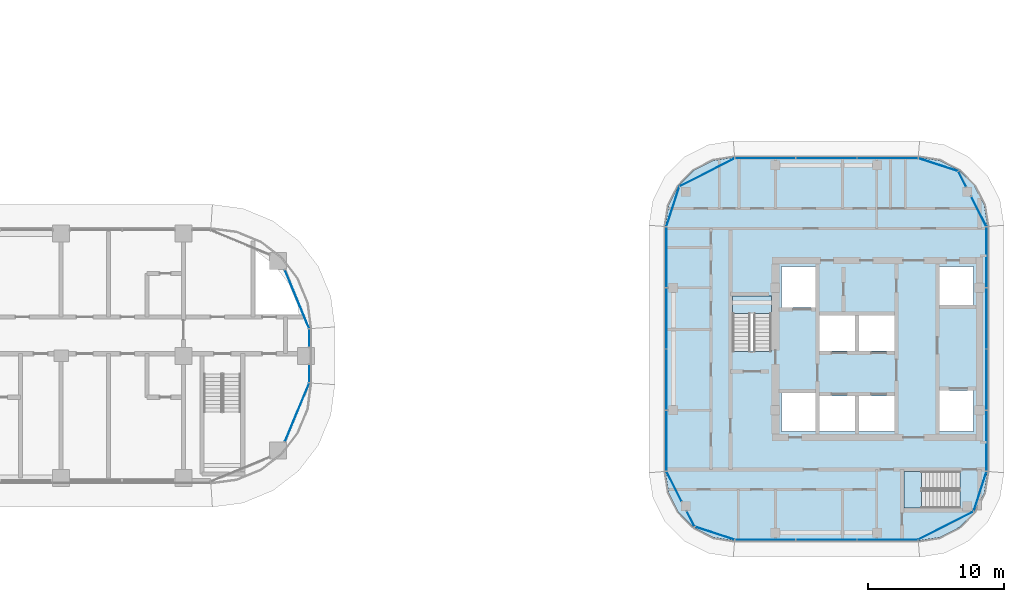
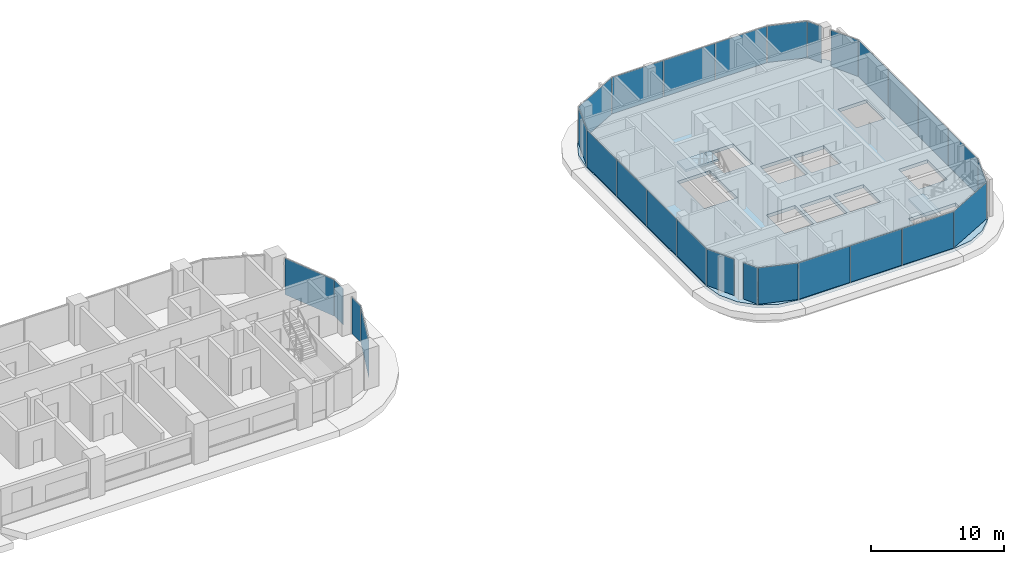
# One storey, part 14 of 33: 28 plates, 3 slabs, 16 elements without a shape of their own.
"""IFC4 building model written with IfcOpenShell, lengths in metres."""

from ifc_helpers import new_model, si_unit, direction, frame, origin, origin_2d, place, context, subcontext, project, spatial, polyline, rectangle, outline, extrude, material, layer, layer_set, type_object, element, aggregate, save


model = new_model("IFC4")

# Units and contexts
model_context = context("Model", 3, precision=1e-05, world=origin(), true_north=direction((0.0, 1.0)))
body_context = subcontext(model_context, "Body", "Model", "MODEL_VIEW")
ifc_project = project(units=[si_unit("LENGTHUNIT", "METRE"), si_unit("AREAUNIT", "SQUARE_METRE"), si_unit("VOLUMEUNIT", "CUBIC_METRE"), si_unit("PLANEANGLEUNIT", "RADIAN"), si_unit("MASSUNIT", "GRAM", prefix="KILO")], contexts=[model_context])

# Site, building, storey
site_placement = place(None, origin())
site = spatial("IfcSite", under=ifc_project, at=site_placement, CompositionType="ELEMENT")
building_placement = place(site_placement, origin())
building = spatial("IfcBuilding", under=site, at=building_placement, Name="Ogive Portal Towers", CompositionType="ELEMENT")
storey_placement = place(building_placement, frame((0.0, 0.0, 98.199951171875)))
storey = spatial("IfcBuildingStorey", under=building, at=storey_placement, Name="L23", CompositionType="ELEMENT", Elevation=98.199951171875)

# Curtain wall, plate
ifc_material_1 = material(Name="Glass, clear low-iron insulated glazing", Category="glass")
curtain_wall_type_1 = type_object("IfcCurtainWallType", Name="CW FRONT RIBBON 4500", PredefinedType="NOTDEFINED", material=ifc_material_1)
curtain_wall_1_placement = place(storey_placement, origin())
curtain_wall_1 = element("IfcCurtainWall", 1, at=curtain_wall_1_placement, inside=storey, type_object=curtain_wall_type_1, Name="A:L23:f23:cw0~0", PredefinedType="NOTDEFINED")
ifc_layer_1 = layer(ifc_material_1, 0.028076171875)
ifc_layer_set_1 = layer_set([ifc_layer_1], Name="CW PANEL IGU 28")
plate_type = type_object("IfcPlateType", Name="CW PANEL IGU 28", PredefinedType="CURTAIN_PANEL", material=ifc_layer_set_1)
plate_1_placement = place(storey_placement, frame((94.739990234375, 29.195556640625, 0.0), z_axis=(0.0, 0.0, 1.0), x_axis=(0.0, 1.0, 0.0)))
plate_1 = element("IfcPlate", 2, at=plate_1_placement, type_object=plate_type, Name="panel", PredefinedType="CURTAIN_PANEL", context=body_context, shape_type="SweptSolid", body=[
    extrude(rectangle(XDim=1.299072265625, YDim=0.028076171875, at=origin_2d()), origin(), (0.0, 0.0, 1.0), 3.340087890625),
])
aggregate(curtain_wall_1, [plate_1])

curtain_wall_2_placement = place(storey_placement, origin())
curtain_wall_2 = element("IfcCurtainWall", 3, at=curtain_wall_2_placement, inside=storey, type_object=curtain_wall_type_1, Name="A:L23:f23:cw0~1", PredefinedType="NOTDEFINED")
plate_2_placement = place(storey_placement, frame((94.739990234375, 31.804443359375, 0.0), z_axis=(0.0, 0.0, 1.0), x_axis=(0.0, 1.0, 0.0)))
plate_2 = element("IfcPlate", 4, at=plate_2_placement, type_object=plate_type, Name="panel", PredefinedType="CURTAIN_PANEL", context=body_context, shape_type="SweptSolid", body=[
    extrude(rectangle(XDim=1.299072265625, YDim=0.028076171875, at=origin_2d()), origin(), (0.0, 0.0, 1.0), 3.340087890625),
])
aggregate(curtain_wall_2, [plate_2])

curtain_wall_3_placement = place(storey_placement, origin())
curtain_wall_3 = element("IfcCurtainWall", 5, at=curtain_wall_3_placement, inside=storey, type_object=curtain_wall_type_1, Name="A:L23:f21:cwa~1", PredefinedType="NOTDEFINED")
plate_3_placement = place(storey_placement, frame((93.841064453125, 26.345458984375, 0.0), z_axis=(0.0, 0.0, 1.0), x_axis=(0.382683432365, 0.923879532511, 0.0)))
plate_3 = element("IfcPlate", 6, at=plate_3_placement, type_object=plate_type, Name="panel", PredefinedType="CURTAIN_PANEL", context=body_context, shape_type="SweptSolid", body=[
    extrude(rectangle(XDim=4.638671875, YDim=0.028076171875, at=origin_2d()), origin(), (0.0, 0.0, 1.0), 3.340087890625),
])
aggregate(curtain_wall_3, [plate_3])

curtain_wall_4_placement = place(storey_placement, origin())
curtain_wall_4 = element("IfcCurtainWall", 7, at=curtain_wall_4_placement, inside=storey, type_object=curtain_wall_type_1, Name="A:L23:f24:cwa~0", PredefinedType="NOTDEFINED")
plate_4_placement = place(storey_placement, frame((93.841064453125, 34.654541015625, 0.0), z_axis=(0.0, 0.0, 1.0), x_axis=(-0.382683432365, 0.923879532511, 0.0)))
plate_4 = element("IfcPlate", 8, at=plate_4_placement, type_object=plate_type, Name="panel", PredefinedType="CURTAIN_PANEL", context=body_context, shape_type="SweptSolid", body=[
    extrude(rectangle(XDim=4.638671875, YDim=0.028076171875, at=origin_2d()), origin(), (0.0, 0.0, 1.0), 3.340087890625),
])
aggregate(curtain_wall_4, [plate_4])

# Curtain wall, plates
curtain_wall_type_2 = type_object("IfcCurtainWallType", Name="CW RESIDENCES RIBBON", PredefinedType="NOTDEFINED", material=ifc_material_1)
curtain_wall_5_placement = place(storey_placement, origin())
curtain_wall_5 = element("IfcCurtainWall", 9, at=curtain_wall_5_placement, inside=storey, type_object=curtain_wall_type_2, Name="B:L23:f02:cw0", PredefinedType="NOTDEFINED")
plate_5_placement = place(storey_placement, frame((128.25634765625, 16.97998046875, 0.0), z_axis=(0.0, 0.0, 1.0), x_axis=(1.0, 0.0, 0.0)))
plate_5 = element("IfcPlate", 10, at=plate_5_placement, type_object=plate_type, Name="panel", PredefinedType="CURTAIN_PANEL", context=body_context, shape_type="SweptSolid", body=[
    extrude(rectangle(XDim=4.42724609375, YDim=0.028076171875, at=origin_2d()), origin(), (0.0, 0.0, 1.0), 3.340087890625),
])
plate_6_placement = place(storey_placement, frame((132.75, 16.97998046875, 0.0), z_axis=(0.0, 0.0, 1.0), x_axis=(1.0, 0.0, 0.0)))
plate_6 = element("IfcPlate", 11, at=plate_6_placement, type_object=plate_type, Name="panel", PredefinedType="CURTAIN_PANEL", context=body_context, shape_type="SweptSolid", body=[
    extrude(rectangle(XDim=4.43994140625, YDim=0.028076171875, at=origin_2d()), origin(), (0.0, 0.0, 1.0), 3.340087890625),
])
plate_7_placement = place(storey_placement, frame((137.240478515625, 16.97998046875, 0.0), z_axis=(0.0, 0.0, 1.0), x_axis=(1.0, 0.0, 0.0)))
plate_7 = element("IfcPlate", 12, at=plate_7_placement, type_object=plate_type, Name="panel", PredefinedType="CURTAIN_PANEL", context=body_context, shape_type="SweptSolid", body=[
    extrude(rectangle(XDim=4.4208984375, YDim=0.028076171875, at=origin_2d()), origin(), (0.0, 0.0, 1.0), 3.340087890625),
])
aggregate(curtain_wall_5, [plate_5, plate_6, plate_7])

curtain_wall_6_placement = place(storey_placement, origin())
curtain_wall_6 = element("IfcCurtainWall", 13, at=curtain_wall_6_placement, inside=storey, type_object=curtain_wall_type_2, Name="B:L23:f05:cw0", PredefinedType="NOTDEFINED")
plate_8_placement = place(storey_placement, frame((144.52001953125, 24.25634765625, 0.0), z_axis=(0.0, 0.0, 1.0), x_axis=(0.0, 1.0, 0.0)))
plate_8 = element("IfcPlate", 14, at=plate_8_placement, type_object=plate_type, Name="panel", PredefinedType="CURTAIN_PANEL", context=body_context, shape_type="SweptSolid", body=[
    extrude(rectangle(XDim=4.42724609375, YDim=0.028076171875, at=origin_2d()), origin(), (0.0, 0.0, 1.0), 3.340087890625),
])
plate_9_placement = place(storey_placement, frame((144.52001953125, 28.75, 0.0), z_axis=(0.0, 0.0, 1.0), x_axis=(0.0, 1.0, 0.0)))
plate_9 = element("IfcPlate", 15, at=plate_9_placement, type_object=plate_type, Name="panel", PredefinedType="CURTAIN_PANEL", context=body_context, shape_type="SweptSolid", body=[
    extrude(rectangle(XDim=4.43994140625, YDim=0.028076171875, at=origin_2d()), origin(), (0.0, 0.0, 1.0), 3.340087890625),
])
plate_10_placement = place(storey_placement, frame((144.52001953125, 33.25, 0.0), z_axis=(0.0, 0.0, 1.0), x_axis=(0.0, 1.0, 0.0)))
plate_10 = element("IfcPlate", 16, at=plate_10_placement, type_object=plate_type, Name="panel", PredefinedType="CURTAIN_PANEL", context=body_context, shape_type="SweptSolid", body=[
    extrude(rectangle(XDim=4.43994140625, YDim=0.028076171875, at=origin_2d()), origin(), (0.0, 0.0, 1.0), 3.340087890625),
])
plate_11_placement = place(storey_placement, frame((144.52001953125, 37.740478515625, 0.0), z_axis=(0.0, 0.0, 1.0), x_axis=(0.0, 1.0, 0.0)))
plate_11 = element("IfcPlate", 17, at=plate_11_placement, type_object=plate_type, Name="panel", PredefinedType="CURTAIN_PANEL", context=body_context, shape_type="SweptSolid", body=[
    extrude(rectangle(XDim=4.4208984375, YDim=0.028076171875, at=origin_2d()), origin(), (0.0, 0.0, 1.0), 3.340087890625),
])
aggregate(curtain_wall_6, [plate_8, plate_9, plate_10, plate_11])

curtain_wall_7_placement = place(storey_placement, origin())
curtain_wall_7 = element("IfcCurtainWall", 18, at=curtain_wall_7_placement, inside=storey, type_object=curtain_wall_type_2, Name="B:L23:f08:cw0", PredefinedType="NOTDEFINED")
plate_12_placement = place(storey_placement, frame((137.24365234375, 45.02001953125, 0.0), z_axis=(0.0, 0.0, 1.0), x_axis=(-1.0, 0.0, 0.0)))
plate_12 = element("IfcPlate", 19, at=plate_12_placement, type_object=plate_type, Name="panel", PredefinedType="CURTAIN_PANEL", context=body_context, shape_type="SweptSolid", body=[
    extrude(rectangle(XDim=4.42724609375, YDim=0.028076171875, at=origin_2d()), origin(), (0.0, 0.0, 1.0), 3.340087890625),
])
plate_13_placement = place(storey_placement, frame((132.75, 45.02001953125, 0.0), z_axis=(0.0, 0.0, 1.0), x_axis=(-1.0, 0.0, 0.0)))
plate_13 = element("IfcPlate", 20, at=plate_13_placement, type_object=plate_type, Name="panel", PredefinedType="CURTAIN_PANEL", context=body_context, shape_type="SweptSolid", body=[
    extrude(rectangle(XDim=4.43994140625, YDim=0.028076171875, at=origin_2d()), origin(), (0.0, 0.0, 1.0), 3.340087890625),
])
plate_14_placement = place(storey_placement, frame((128.259521484375, 45.02001953125, 0.0), z_axis=(0.0, 0.0, 1.0), x_axis=(-1.0, 0.0, 0.0)))
plate_14 = element("IfcPlate", 21, at=plate_14_placement, type_object=plate_type, Name="panel", PredefinedType="CURTAIN_PANEL", context=body_context, shape_type="SweptSolid", body=[
    extrude(rectangle(XDim=4.4208984375, YDim=0.028076171875, at=origin_2d()), origin(), (0.0, 0.0, 1.0), 3.340087890625),
])
aggregate(curtain_wall_7, [plate_12, plate_13, plate_14])

curtain_wall_8_placement = place(storey_placement, origin())
curtain_wall_8 = element("IfcCurtainWall", 22, at=curtain_wall_8_placement, inside=storey, type_object=curtain_wall_type_2, Name="B:L23:f11:cw0", PredefinedType="NOTDEFINED")
plate_15_placement = place(storey_placement, frame((120.97998046875, 37.74365234375, 0.0), z_axis=(0.0, 0.0, 1.0), x_axis=(0.0, -1.0, 0.0)))
plate_15 = element("IfcPlate", 23, at=plate_15_placement, type_object=plate_type, Name="panel", PredefinedType="CURTAIN_PANEL", context=body_context, shape_type="SweptSolid", body=[
    extrude(rectangle(XDim=4.42724609375, YDim=0.028076171875, at=origin_2d()), origin(), (0.0, 0.0, 1.0), 3.340087890625),
])
plate_16_placement = place(storey_placement, frame((120.97998046875, 33.25, 0.0), z_axis=(0.0, 0.0, 1.0), x_axis=(0.0, -1.0, 0.0)))
plate_16 = element("IfcPlate", 24, at=plate_16_placement, type_object=plate_type, Name="panel", PredefinedType="CURTAIN_PANEL", context=body_context, shape_type="SweptSolid", body=[
    extrude(rectangle(XDim=4.43994140625, YDim=0.028076171875, at=origin_2d()), origin(), (0.0, 0.0, 1.0), 3.340087890625),
])
plate_17_placement = place(storey_placement, frame((120.97998046875, 28.75, 0.0), z_axis=(0.0, 0.0, 1.0), x_axis=(0.0, -1.0, 0.0)))
plate_17 = element("IfcPlate", 25, at=plate_17_placement, type_object=plate_type, Name="panel", PredefinedType="CURTAIN_PANEL", context=body_context, shape_type="SweptSolid", body=[
    extrude(rectangle(XDim=4.43994140625, YDim=0.028076171875, at=origin_2d()), origin(), (0.0, 0.0, 1.0), 3.340087890625),
])
plate_18_placement = place(storey_placement, frame((120.97998046875, 24.259521484375, 0.0), z_axis=(0.0, 0.0, 1.0), x_axis=(0.0, -1.0, 0.0)))
plate_18 = element("IfcPlate", 26, at=plate_18_placement, type_object=plate_type, Name="panel", PredefinedType="CURTAIN_PANEL", context=body_context, shape_type="SweptSolid", body=[
    extrude(rectangle(XDim=4.4208984375, YDim=0.028076171875, at=origin_2d()), origin(), (0.0, 0.0, 1.0), 3.340087890625),
])
aggregate(curtain_wall_8, [plate_15, plate_16, plate_17, plate_18])

# Curtain wall, plate
curtain_wall_9_placement = place(storey_placement, origin())
curtain_wall_9 = element("IfcCurtainWall", 27, at=curtain_wall_9_placement, inside=storey, type_object=curtain_wall_type_2, Name="B:L23:f00:cwa~0", PredefinedType="NOTDEFINED")
plate_19_placement = place(storey_placement, frame((121.54736328125, 20.905517578125, 0.0), z_axis=(0.0, 0.0, 1.0), x_axis=(0.45399049974, -0.891006524188, 0.0)))
plate_19 = element("IfcPlate", 28, at=plate_19_placement, type_object=plate_type, Name="panel", PredefinedType="CURTAIN_PANEL", context=body_context, shape_type="SweptSolid", body=[
    extrude(rectangle(XDim=2.439697265625, YDim=0.028076171875, at=origin_2d()), origin(), (0.0, 0.0, 1.0), 3.340087890625),
])
aggregate(curtain_wall_9, [plate_19])

# Curtain wall, plates
curtain_wall_10_placement = place(storey_placement, origin())
curtain_wall_10 = element("IfcCurtainWall", 29, at=curtain_wall_10_placement, inside=storey, type_object=curtain_wall_type_2, Name="B:L23:f00:cwa~1", PredefinedType="NOTDEFINED")
plate_20_placement = place(storey_placement, frame((122.764892578125, 18.515869140625, 0.0), z_axis=(0.0, 0.0, 1.0), x_axis=(0.45399049974, -0.891006524188, 0.0)))
plate_20 = element("IfcPlate", 30, at=plate_20_placement, type_object=plate_type, Name="panel", PredefinedType="CURTAIN_PANEL", context=body_context, shape_type="SweptSolid", body=[
    extrude(rectangle(XDim=1.233154296875, YDim=0.028076171875, at=origin_2d()), origin(), (0.0, 0.0, 1.0), 3.340087890625),
])
plate_21_placement = place(storey_placement, frame((124.53564453125, 17.4599609375, 0.0), z_axis=(0.0, 0.0, 1.0), x_axis=(0.951056516295, -0.309016994375, 0.0)))
plate_21 = element("IfcPlate", 31, at=plate_21_placement, type_object=plate_type, Name="panel", PredefinedType="CURTAIN_PANEL", context=body_context, shape_type="SweptSolid", body=[
    extrude(rectangle(XDim=3.046142578125, YDim=0.028076171875, at=origin_2d()), origin(), (0.0, 0.0, 1.0), 3.340087890625),
])
aggregate(curtain_wall_10, [plate_20, plate_21])

curtain_wall_11_placement = place(storey_placement, origin())
curtain_wall_11 = element("IfcCurtainWall", 32, at=curtain_wall_11_placement, inside=storey, type_object=curtain_wall_type_2, Name="B:L23:f03:cwa", PredefinedType="NOTDEFINED")
plate_22_placement = place(storey_placement, frame((141.5205078125, 18.019287109375, 0.0), z_axis=(0.0, 0.0, 1.0), x_axis=(0.891006524188, 0.45399049974, 0.0)))
plate_22 = element("IfcPlate", 33, at=plate_22_placement, type_object=plate_type, Name="panel", PredefinedType="CURTAIN_PANEL", context=body_context, shape_type="SweptSolid", body=[
    extrude(rectangle(XDim=4.518310546875, YDim=0.028076171875, at=origin_2d()), origin(), (0.0, 0.0, 1.0), 3.340087890625),
])
plate_23_placement = place(storey_placement, frame((144.0400390625, 20.53564453125, 0.0), z_axis=(0.0, 0.0, 1.0), x_axis=(0.309016994375, 0.951056516295, 0.0)))
plate_23 = element("IfcPlate", 34, at=plate_23_placement, type_object=plate_type, Name="panel", PredefinedType="CURTAIN_PANEL", context=body_context, shape_type="SweptSolid", body=[
    extrude(rectangle(XDim=3.046142578125, YDim=0.028076171875, at=origin_2d()), origin(), (0.0, 0.0, 1.0), 3.340087890625),
])
aggregate(curtain_wall_11, [plate_22, plate_23])

# Curtain wall, plate
curtain_wall_12_placement = place(storey_placement, origin())
curtain_wall_12 = element("IfcCurtainWall", 35, at=curtain_wall_12_placement, inside=storey, type_object=curtain_wall_type_2, Name="B:L23:f06:cwa~0", PredefinedType="NOTDEFINED")
plate_24_placement = place(storey_placement, frame((143.95263671875, 41.094482421875, 0.0), z_axis=(0.0, 0.0, 1.0), x_axis=(-0.45399049974, 0.891006524188, 0.0)))
plate_24 = element("IfcPlate", 36, at=plate_24_placement, type_object=plate_type, Name="panel", PredefinedType="CURTAIN_PANEL", context=body_context, shape_type="SweptSolid", body=[
    extrude(rectangle(XDim=2.439697265625, YDim=0.028076171875, at=origin_2d()), origin(), (0.0, 0.0, 1.0), 3.340087890625),
])
aggregate(curtain_wall_12, [plate_24])

# Curtain wall, plates
curtain_wall_13_placement = place(storey_placement, origin())
curtain_wall_13 = element("IfcCurtainWall", 37, at=curtain_wall_13_placement, inside=storey, type_object=curtain_wall_type_2, Name="B:L23:f06:cwa~1", PredefinedType="NOTDEFINED")
plate_25_placement = place(storey_placement, frame((142.735107421875, 43.484130859375, 0.0), z_axis=(0.0, 0.0, 1.0), x_axis=(-0.45399049974, 0.891006524188, 0.0)))
plate_25 = element("IfcPlate", 38, at=plate_25_placement, type_object=plate_type, Name="panel", PredefinedType="CURTAIN_PANEL", context=body_context, shape_type="SweptSolid", body=[
    extrude(rectangle(XDim=1.233154296875, YDim=0.028076171875, at=origin_2d()), origin(), (0.0, 0.0, 1.0), 3.340087890625),
])
plate_26_placement = place(storey_placement, frame((140.96435546875, 44.5400390625, 0.0), z_axis=(0.0, 0.0, 1.0), x_axis=(-0.951056516295, 0.309016994375, 0.0)))
plate_26 = element("IfcPlate", 39, at=plate_26_placement, type_object=plate_type, Name="panel", PredefinedType="CURTAIN_PANEL", context=body_context, shape_type="SweptSolid", body=[
    extrude(rectangle(XDim=3.046142578125, YDim=0.028076171875, at=origin_2d()), origin(), (0.0, 0.0, 1.0), 3.340087890625),
])
aggregate(curtain_wall_13, [plate_25, plate_26])

curtain_wall_14_placement = place(storey_placement, origin())
curtain_wall_14 = element("IfcCurtainWall", 40, at=curtain_wall_14_placement, inside=storey, type_object=curtain_wall_type_2, Name="B:L23:f09:cwa", PredefinedType="NOTDEFINED")
plate_27_placement = place(storey_placement, frame((123.9794921875, 43.980712890625, 0.0), z_axis=(0.0, 0.0, 1.0), x_axis=(-0.891006524188, -0.45399049974, 0.0)))
plate_27 = element("IfcPlate", 41, at=plate_27_placement, type_object=plate_type, Name="panel", PredefinedType="CURTAIN_PANEL", context=body_context, shape_type="SweptSolid", body=[
    extrude(rectangle(XDim=4.518310546875, YDim=0.028076171875, at=origin_2d()), origin(), (0.0, 0.0, 1.0), 3.340087890625),
])
plate_28_placement = place(storey_placement, frame((121.4599609375, 41.46435546875, 0.0), z_axis=(0.0, 0.0, 1.0), x_axis=(-0.309016994375, -0.951056516295, 0.0)))
plate_28 = element("IfcPlate", 42, at=plate_28_placement, type_object=plate_type, Name="panel", PredefinedType="CURTAIN_PANEL", context=body_context, shape_type="SweptSolid", body=[
    extrude(rectangle(XDim=3.046142578125, YDim=0.028076171875, at=origin_2d()), origin(), (0.0, 0.0, 1.0), 3.340087890625),
])
aggregate(curtain_wall_14, [plate_27, plate_28])

# Stair, slab
ifc_material_2 = material(Name="Concrete C40/50", Category="concrete")
stair_type = type_object("IfcStairType", Name="INT-STAIR", PredefinedType="HALF_TURN_STAIR", material=ifc_material_2)
stair_1_placement = place(storey_placement, origin())
stair_1 = element("IfcStair", 43, at=stair_1_placement, inside=storey, type_object=stair_type, Name="L23 Exit Stair ST-B1", PredefinedType="HALF_TURN_STAIR")
ifc_layer_2 = layer(ifc_material_2, 0.199951171875)
ifc_layer_set_2 = layer_set([ifc_layer_2], Name="INT-LANDING")
slab_type_1 = type_object("IfcSlabType", Name="INT-LANDING", PredefinedType="LANDING", material=ifc_layer_set_2)
slab_1_placement = place(storey_placement, frame((0.0, 0.0, 1.650146484375)))
slab_1 = element("IfcSlab", 44, at=slab_1_placement, type_object=slab_type_1, Name="ST-B1 landing 1", PredefinedType="LANDING", context=body_context, shape_type="SweptSolid", body=[
    extrude(outline(polyline([(128.699951171875, 33.60009765625), (128.699951171875, 34.89990234375), (125.85009765625, 34.89990234375), (125.85009765625, 33.60009765625), (128.699951171875, 33.60009765625)])), origin(), (0.0, 0.0, 1.0), 0.199951171875),
])
aggregate(stair_1, [slab_1])

stair_2_placement = place(storey_placement, origin())
stair_2 = element("IfcStair", 45, at=stair_2_placement, inside=storey, type_object=stair_type, Name="L23 Exit Stair ST-B2", PredefinedType="HALF_TURN_STAIR")
slab_2_placement = place(storey_placement, frame((0.0, 0.0, 1.650146484375)))
slab_2 = element("IfcSlab", 46, at=slab_2_placement, type_object=slab_type_1, Name="ST-B2 landing 1", PredefinedType="LANDING", context=body_context, shape_type="SweptSolid", body=[
    extrude(outline(polyline([(139.75, 22.0), (138.449951171875, 22.0), (138.449951171875, 19.300048828125), (139.75, 19.300048828125), (139.75, 22.0)])), origin(), (0.0, 0.0, 1.0), 0.199951171875),
])
aggregate(stair_2, [slab_2])

# Slab
ifc_material_3 = material(Name="Concrete C45/55", Category="concrete")
ifc_layer_3 = layer(ifc_material_3, 0.300048828125)
ifc_layer_set_3 = layer_set([ifc_layer_3], Name="PT FLAT PLATE 300")
slab_type_2 = type_object("IfcSlabType", Name="PT FLAT PLATE 300", PredefinedType="FLOOR", material=ifc_layer_set_3)
slab_3_placement = place(storey_placement, frame((0.0, 0.0, -0.300048828125)))
element("IfcSlab", 47, at=slab_3_placement, inside=storey, type_object=slab_type_2, Name="Floor slab L23", PredefinedType="FLOOR", context=body_context, shape_type="SweptSolid", body=[
    extrude(outline(polyline([(120.89990234375, 40.0), (120.89990234375, 22.0), (121.149658203125, 20.424072265625), (121.8740234375, 19.002197265625), (123.002197265625, 17.8740234375), (124.424072265625, 17.149658203125), (126.0, 16.89990234375), (139.5, 16.89990234375), (141.075927734375, 17.149658203125), (142.497802734375, 17.8740234375), (143.6259765625, 19.002197265625), (144.350341796875, 20.424072265625), (144.60009765625, 22.0), (144.60009765625, 40.0), (144.350341796875, 41.575927734375), (143.6259765625, 42.997802734375), (142.497802734375, 44.1259765625), (141.075927734375, 44.850341796875), (139.5, 45.10009765625), (126.0, 45.10009765625), (124.424072265625, 44.850341796875), (123.002197265625, 44.1259765625), (121.8740234375, 42.997802734375), (121.149658203125, 41.575927734375), (120.89990234375, 40.0)]), holes=[polyline([(131.949951171875, 27.75), (131.949951171875, 24.949951171875), (129.449951171875, 24.949951171875), (129.449951171875, 27.75), (131.949951171875, 27.75)]), polyline([(128.697998046875, 34.89794921875), (128.697998046875, 30.802001953125), (125.85205078125, 30.802001953125), (125.85205078125, 34.89794921875), (128.697998046875, 34.89794921875)]), polyline([(131.949951171875, 37.050048828125), (131.949951171875, 34.050048828125), (129.449951171875, 34.050048828125), (129.449951171875, 37.050048828125), (131.949951171875, 37.050048828125)]), polyline([(138.451904296875, 21.998046875), (142.548095703125, 21.998046875), (142.548095703125, 19.302001953125), (138.451904296875, 19.302001953125), (138.451904296875, 21.998046875)]), polyline([(134.85009765625, 27.550048828125), (134.85009765625, 24.949951171875), (132.25, 24.949951171875), (132.25, 27.550048828125), (134.85009765625, 27.550048828125)]), polyline([(137.75, 27.550048828125), (137.75, 24.949951171875), (135.14990234375, 24.949951171875), (135.14990234375, 27.550048828125), (137.75, 27.550048828125)]), polyline([(143.550048828125, 27.949951171875), (143.550048828125, 24.949951171875), (141.050048828125, 24.949951171875), (141.050048828125, 27.949951171875), (143.550048828125, 27.949951171875)]), polyline([(134.85009765625, 33.449951171875), (134.85009765625, 30.85009765625), (132.25, 30.85009765625), (132.25, 33.449951171875), (134.85009765625, 33.449951171875)]), polyline([(137.75, 33.449951171875), (137.75, 30.85009765625), (135.14990234375, 30.85009765625), (135.14990234375, 33.449951171875), (137.75, 33.449951171875)]), polyline([(141.050048828125, 37.050048828125), (143.550048828125, 37.050048828125), (143.550048828125, 34.25), (141.050048828125, 34.25), (141.050048828125, 37.050048828125)])]), origin(), (0.0, 0.0, 1.0), 0.300048828125),
])

save(model, "model.ifc")
